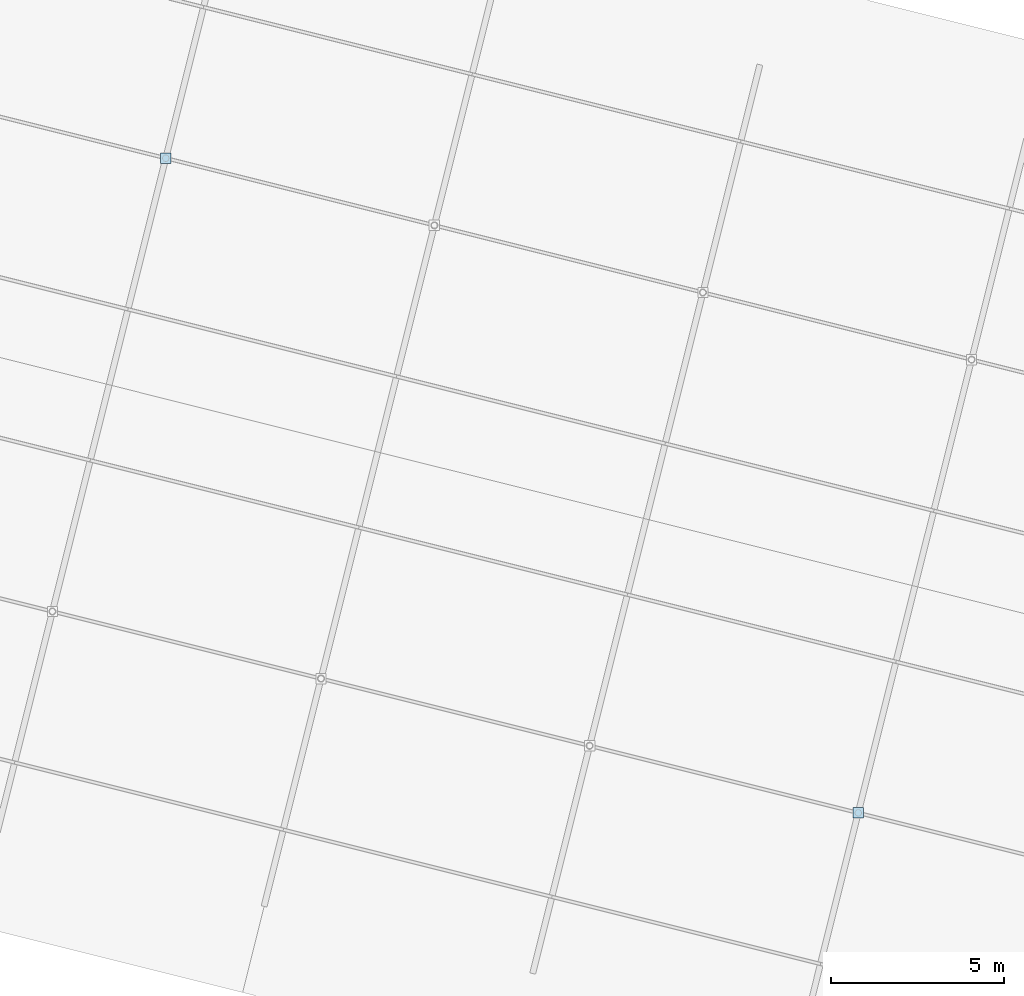
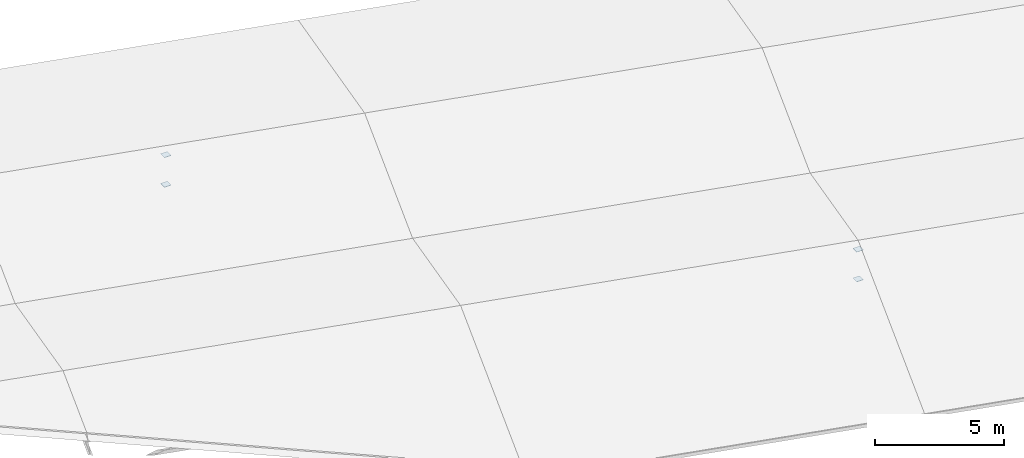
# One storey, part 102 of 107: 4 plates.
"""IFC4 building model written with IfcOpenShell, lengths in metres."""

import ifcopenshell
import ifcopenshell.guid

model = None  # the IFC model being written
_history = None  # IfcOwnerHistory: only IFC2X3 demands one
_inside = {}  # id of a spatial element -> (the spatial element, [elements in it])
_under = {}  # id of a project, library or spatial element -> (it, [spatial elements below it])
_declared = {}  # id of a project -> (the project, [libraries it declares])
_typed = {}  # id of a type object -> (the type object, [elements of that type])
_made_of = {}  # id of a material, layer set ... -> (it, [elements and type objects made of it])


def new_model(schema):
    """Start an empty IFC model of exactly this schema.

    Asked for "IFC4X3", IfcOpenShell would pick the latest addendum, in which some entities
    have other attributes; the version numbers below select the first issue.
    IFC2X3 requires an IfcOwnerHistory on every rooted entity: one is made here for all.
    """
    global model, _history
    if schema == "IFC4X3":
        model = ifcopenshell.file(schema_version=(4, 3, 0, 0))
    else:
        model = ifcopenshell.file(schema=schema)
    _inside.clear()
    _under.clear()
    _declared.clear()
    _typed.clear()
    _made_of.clear()
    _history = None
    if model.schema == "IFC2X3":
        org = make("IfcOrganization", Name="unknown")
        user = make(
            "IfcPersonAndOrganization",
            ThePerson=make("IfcPerson", FamilyName="unknown"),
            TheOrganization=org,
        )
        app = make(
            "IfcApplication",
            ApplicationDeveloper=org,
            Version="unknown",
            ApplicationFullName="unknown",
            ApplicationIdentifier="unknown",
        )
        _history = make(
            "IfcOwnerHistory",
            OwningUser=user,
            OwningApplication=app,
            ChangeAction="ADDED",
            CreationDate=0,
        )
    return model


def make(cls, **values):
    """One entity of the class cls with the attributes given. An attribute that is None is left unset."""
    return model.create_entity(
        cls, **{name: value for name, value in values.items() if value is not None}
    )


def rooted(cls, **values):
    """An entity with a GlobalId (a new one), such as an element, a storey or a relation."""
    return make(cls, GlobalId=ifcopenshell.guid.new(), OwnerHistory=_history, **values)


def si_unit(unit_type, name, prefix=None):
    """IfcSIUnit, for example si_unit("LENGTHUNIT", "METRE", prefix="MILLI")."""
    return make("IfcSIUnit", UnitType=unit_type, Prefix=prefix, Name=name)


def derived_unit(unit_type, elements):
    """IfcDerivedUnit: a product of units, each with its exponent."""
    return make(
        "IfcDerivedUnit",
        Elements=[
            make("IfcDerivedUnitElement", Unit=unit, Exponent=power)
            for unit, power in elements
        ],
        UnitType=unit_type,
    )


def assignment(units):
    """IfcUnitAssignment: the units of a project."""
    return None if units is None else make("IfcUnitAssignment", Units=units)


def point(xyz):
    """IfcCartesianPoint."""
    return None if xyz is None else make("IfcCartesianPoint", Coordinates=xyz)


def direction(xyz):
    """IfcDirection."""
    return None if xyz is None else make("IfcDirection", DirectionRatios=xyz)


def frame(location, z_axis=None, x_axis=None):
    """IfcAxis2Placement3D, a coordinate frame: its origin and axes. An axis left out is left unset."""
    return make(
        "IfcAxis2Placement3D",
        Location=point(location),
        Axis=direction(z_axis),
        RefDirection=direction(x_axis),
    )


def frame_2d(location, x_axis=None):
    """IfcAxis2Placement2D, a coordinate frame in the plane: its origin and x axis."""
    return make(
        "IfcAxis2Placement2D", Location=point(location), RefDirection=direction(x_axis)
    )


def origin():
    """The frame at (0, 0, 0) with its axes left unset."""
    return frame((0.0, 0.0, 0.0))


def origin_2d():
    """The frame at (0, 0) in the plane with its x axis left unset."""
    return frame_2d((0.0, 0.0))


def place(relative_to, where):
    """IfcLocalPlacement: puts the frame where relative to a parent placement (None: the world)."""
    return make(
        "IfcLocalPlacement", PlacementRelTo=relative_to, RelativePlacement=where
    )


def context(
    kind, dimensions, precision=None, world=None, true_north=None, identifier=None
):
    """IfcGeometricRepresentationContext, for example the 3D "Model" context."""
    return make(
        "IfcGeometricRepresentationContext",
        ContextIdentifier=identifier,
        ContextType=kind,
        CoordinateSpaceDimension=dimensions,
        Precision=precision,
        WorldCoordinateSystem=world,
        TrueNorth=true_north,
    )


def subcontext(parent, identifier, kind, view, scale=None):
    """IfcGeometricRepresentationSubContext, for example "Body" below "Model"."""
    return make(
        "IfcGeometricRepresentationSubContext",
        ContextIdentifier=identifier,
        ContextType=kind,
        ParentContext=parent,
        TargetScale=scale,
        TargetView=view,
    )


def project(units=None, contexts=None):
    """IfcProject with its units and contexts."""
    return rooted(
        "IfcProject",
        Name="project",
        RepresentationContexts=contexts,
        UnitsInContext=assignment(units),
    )


def spatial(cls, under=None, at=None, **own):
    """A site, building, storey or space (cls), placed at a placement, below another one or the project."""
    s = rooted(cls, ObjectPlacement=at, **own)
    if under is not None:
        _under.setdefault(under.id(), (under, []))[1].append(s)
    return s


def profile(cls, at=None, kind="AREA", **sizes):
    """A parametric profile (cls). Its sizes go by their IFC names, for example OverallWidth=200.0."""
    return make(cls, ProfileType=kind, Position=at, **sizes)


def rectangle(**sizes):
    """IfcRectangleProfileDef."""
    return profile("IfcRectangleProfileDef", **sizes)


def extrude(swept, where, along, depth):
    """IfcExtrudedAreaSolid: the profile swept, set in the frame where, extruded along a direction by depth."""
    return make(
        "IfcExtrudedAreaSolid",
        SweptArea=swept,
        Position=where,
        ExtrudedDirection=direction(along),
        Depth=depth,
    )


def shape(context_of_items, identifier, shape_type, items):
    """IfcShapeRepresentation: the items that make up one representation, for example the "Body"."""
    return make(
        "IfcShapeRepresentation",
        ContextOfItems=context_of_items,
        RepresentationIdentifier=identifier,
        RepresentationType=shape_type,
        Items=items,
    )


def material(Name=None, Category=None):
    """IfcMaterial."""
    return make("IfcMaterial", Name=Name, Category=Category)


def layer(
    of_material, thickness, ventilated=None, Name=None, Category=None, Priority=None
):
    """IfcMaterialLayer: one layer of a wall or slab, of a material (None: an air gap)."""
    return make(
        "IfcMaterialLayer",
        Material=of_material,
        LayerThickness=thickness,
        IsVentilated=ventilated,
        Name=Name,
        Category=Category,
        Priority=Priority,
    )


def layer_set(layers, Name=None):
    """IfcMaterialLayerSet."""
    return make("IfcMaterialLayerSet", MaterialLayers=layers, LayerSetName=Name)


def made_of(thing, what):
    """Note that an element or type object is made of a material, layer set ...; save() writes the relation."""
    if what is not None:
        _made_of.setdefault(what.id(), (what, []))[1].append(thing)
    return thing


def type_object(cls, material=None, **own):
    """A type object (cls), such as IfcWallType, which elements share."""
    return made_of(rooted(cls, **own), material)


def element(
    cls,
    number,
    at=None,
    inside=None,
    cuts=None,
    type_object=None,
    material=None,
    context=None,
    identifier="Body",
    shape_type=None,
    held_by="IfcProductDefinitionShape",
    body=None,
    shapes=None,
    **own,
):
    """One element of the class cls, such as IfcWall. Its Tag is "e" and its number.

    at: its placement. inside: the storey or other place that contains it. cuts: it is an
    opening in that element (IfcRelVoidsElement). A single representation is given by context,
    identifier, shape_type and body (its items); several are given by shapes. held_by: the class
    of the entity that holds the representations. save() writes the other relations.
    """
    e = rooted(cls, Tag="e%d" % number, ObjectPlacement=at, **own)
    if body is not None:
        shapes = [shape(context, identifier, shape_type, body)]
    if shapes is not None:
        e.Representation = make(held_by, Representations=shapes)
    if inside is not None:
        _inside.setdefault(inside.id(), (inside, []))[1].append(e)
    if cuts is not None:
        rooted(
            "IfcRelVoidsElement", RelatingBuildingElement=cuts, RelatedOpeningElement=e
        )
    if type_object is not None:
        _typed.setdefault(type_object.id(), (type_object, []))[1].append(e)
    return made_of(e, material)


def aggregate(whole, parts):
    """IfcRelAggregates: a whole, such as a stair, and the parts it consists of."""
    return rooted("IfcRelAggregates", RelatingObject=whole, RelatedObjects=parts)


def save(model, path):
    """Write the relations noted so far, then the file.

    IfcRelAggregates (storeys below a building ...), IfcRelContainedInSpatialStructure (elements
    in a storey), IfcRelDefinesByType, IfcRelAssociatesMaterial and IfcRelDeclares: one each for
    every whole, place, type object, material and project.
    """
    for whole, parts in _under.values():
        aggregate(whole, parts)
    for where, things in _inside.values():
        rooted(
            "IfcRelContainedInSpatialStructure",
            RelatedElements=things,
            RelatingStructure=where,
        )
    for kind, things in _typed.values():
        rooted("IfcRelDefinesByType", RelatedObjects=things, RelatingType=kind)
    for what, things in _made_of.values():
        rooted("IfcRelAssociatesMaterial", RelatedObjects=things, RelatingMaterial=what)
    for by, libraries in _declared.values():
        rooted("IfcRelDeclares", RelatingContext=by, RelatedDefinitions=libraries)
    model.write(path)


model = new_model("IFC4")

# Units and contexts
model_context = context("Model", 3, precision=1e-05, world=origin(), true_north=direction((0.0, 1.0)))
body_context = subcontext(model_context, "Body", "Model", "MODEL_VIEW")
ifc_project = project(units=[si_unit("LENGTHUNIT", "METRE"), si_unit("AREAUNIT", "SQUARE_METRE"), si_unit("VOLUMEUNIT", "CUBIC_METRE"), si_unit("PLANEANGLEUNIT", "RADIAN"), si_unit("MASSUNIT", "GRAM", prefix="KILO"), si_unit("THERMODYNAMICTEMPERATUREUNIT", "KELVIN"), si_unit("TIMEUNIT", "SECOND"), derived_unit("THERMALTRANSMITTANCEUNIT", [(si_unit("MASSUNIT", "GRAM", prefix="KILO"), 1), (si_unit("THERMODYNAMICTEMPERATUREUNIT", "KELVIN"), -1), (si_unit("TIMEUNIT", "SECOND"), -3)])], contexts=[model_context])

# Site, building, storey
site_placement = place(None, origin())
site = spatial("IfcSite", under=ifc_project, at=site_placement, CompositionType="ELEMENT")
building_placement = place(site_placement, origin())
building = spatial("IfcBuilding", under=site, at=building_placement, Name="Cambertide Market Hall", CompositionType="ELEMENT")
storey_placement = place(building_placement, frame((0.0, 0.0, 18.300048828125)))
storey = spatial("IfcBuildingStorey", under=building, at=storey_placement, Name="RF", CompositionType="ELEMENT", Elevation=18.300048828125)

# Plates
ifc_material = material(Name="Steel S355", Category="steel")
ifc_layer = layer(ifc_material, 0.013916015625, Name="Steel End Cap Plate EC-02")
ifc_layer_set = layer_set([ifc_layer], Name="Steel S355")
plate_type = type_object("IfcPlateType", Name="Steel End Cap Plate EC-02", PredefinedType="USERDEFINED", material=ifc_layer_set)
for number, where, z_axis, x_axis, name in (
    (1, (136.19482421875, 113.824462890625, -0.4072265625), (0.0, 0.0, 1.0), (1.0, 0.0, 0.0), "High-Bay Brace Connection End Cap Plate EC-BRN-251"),
    (2, (136.19482421875, 113.824462890625, 0.99609375), (0.0, 0.0, 1.0), (1.0, 0.0, 0.0), "High-Bay Brace Connection End Cap Plate EC-BRN-252"),
    (3, (156.203857421875, 94.90673828125, -0.4072265625), (0.0, 0.0, 1.0), (1.0, 0.0, 0.0), "High-Bay Brace Connection End Cap Plate EC-BRN-261"),
    (4, (156.203857421875, 94.90673828125, 0.99609375), (0.0, 0.0, 1.0), (1.0, 0.0, 0.0), "High-Bay Brace Connection End Cap Plate EC-BRN-262"),
):
    element("IfcPlate", number, at=place(storey_placement, frame(where, z_axis=z_axis, x_axis=x_axis)), inside=storey, type_object=plate_type, Name=name, ObjectType="END CAP PLATE", PredefinedType="USERDEFINED", context=body_context, shape_type="SweptSolid", body=[
        extrude(rectangle(XDim=0.300048828125, YDim=0.300048828125, at=origin_2d()), origin(), (0.0, 0.0, 1.0), 0.013916015625),
    ])

save(model, "model.ifc")
